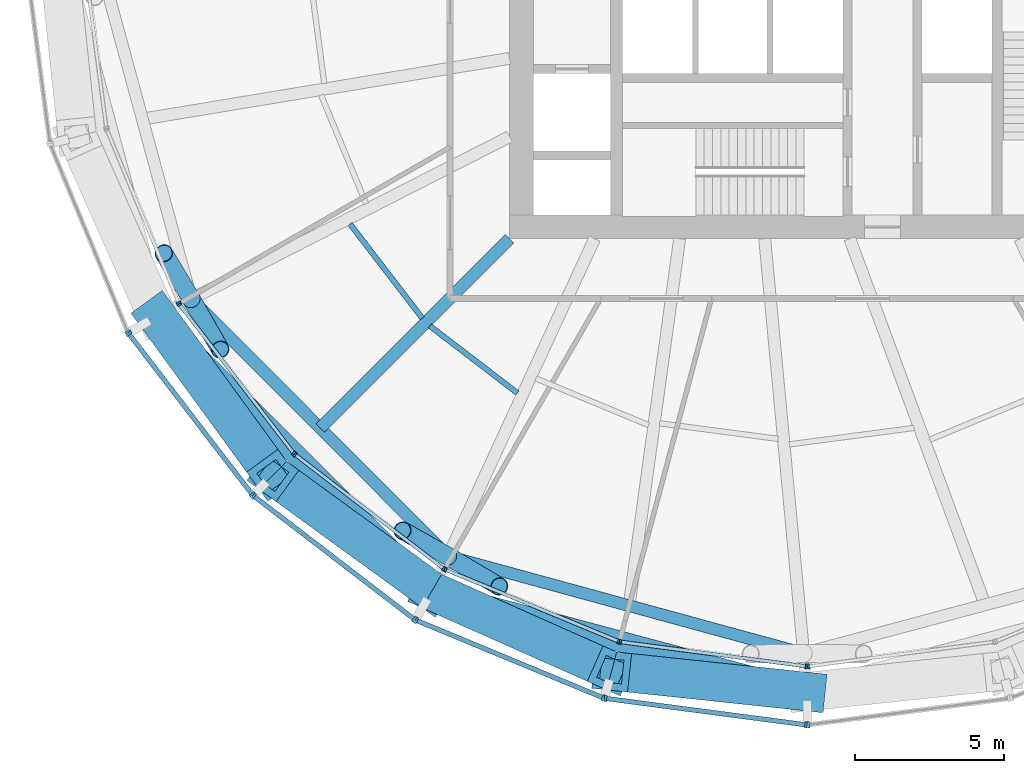
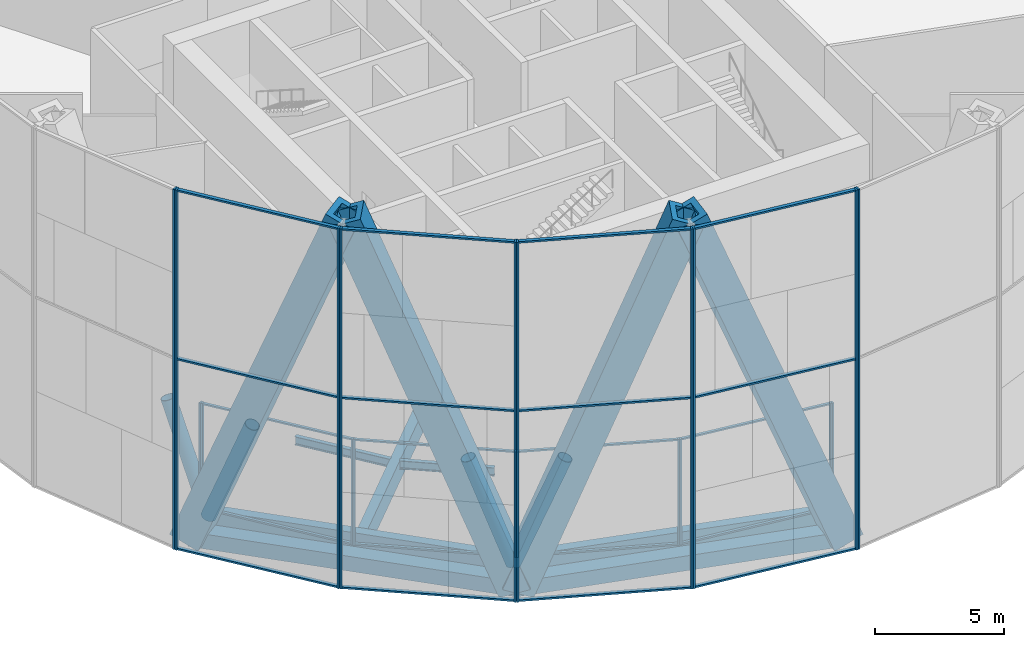
# One storey, part 1 of 16: 48 members, 7 beams, 12 elements without a shape of their own.
"""IFC4 building model written with IfcOpenShell, lengths in metres."""

from ifc_helpers import new_model, si_unit, direction, frame, origin, origin_2d, place, context, subcontext, project, spatial, rectangle, hollow_rectangle, hollow_circle, i_section, extrude, material, material_profile, profile_set, type_object, element, aggregate, save


model = new_model("IFC4")

# Units and contexts
model_context = context("Model", 3, precision=1e-05, world=origin(), true_north=direction((0.0, 1.0)))
body_context = subcontext(model_context, "Body", "Model", "MODEL_VIEW")
ifc_project = project(units=[si_unit("LENGTHUNIT", "METRE"), si_unit("AREAUNIT", "SQUARE_METRE"), si_unit("VOLUMEUNIT", "CUBIC_METRE"), si_unit("PLANEANGLEUNIT", "RADIAN"), si_unit("MASSUNIT", "GRAM", prefix="KILO")], contexts=[model_context])

# Site, building, storey
site_placement = place(None, origin())
site = spatial("IfcSite", under=ifc_project, at=site_placement, CompositionType="ELEMENT")
building_placement = place(site_placement, origin())
building = spatial("IfcBuilding", under=site, at=building_placement, Name="Golbaran Civic Tower", CompositionType="ELEMENT")
storey_placement = place(building_placement, frame((0.0, 0.0, 85.0)))
storey = spatial("IfcBuildingStorey", under=building, at=storey_placement, Name="L20", CompositionType="ELEMENT", Elevation=85.0)

# Members
ifc_material_1 = material(Name="Steel S355", Category="steel")
ifc_material_profile_1 = material_profile(ifc_material_1, hollow_circle(Radius=0.304931640625, WallThickness=0.02490234375, at=origin_2d()), Name="CHS 610.0x25")
ifc_profile_set_1 = profile_set([ifc_material_profile_1], Name="Steel S355")
member_type_1 = type_object("IfcMemberType", Name="BELT TRUSS DIAGONAL CHS 610.0x25", PredefinedType="BRACE", material=ifc_profile_set_1)
member_1_placement = place(storey_placement, frame((-20.688232421875, -12.021728515625, -0.60009765625), z_axis=(0.181029971918, -0.316779719821, 0.931063240805), x_axis=(0.86822780606, 0.496165775507, 0.0)))
element("IfcMember", 1, at=member_1_placement, inside=storey, type_object=member_type_1, Name="Belt truss diagonal 210.00R L20", PredefinedType="BRACE", context=body_context, shape_type="SweptSolid", body=[
    extrude(hollow_circle(Radius=0.304931640625, WallThickness=0.02490234375, at=origin_2d()), origin(), (0.0, 0.0, 1.0), 5.3701171875),
])
member_2_placement = place(storey_placement, frame((-20.688232421875, -12.021728515625, -0.60009765625), z_axis=(-0.17373343176, 0.288666900773, 0.941534978154), x_axis=(-0.856793813137, -0.515659152707, 0.0)))
element("IfcMember", 2, at=member_2_placement, inside=storey, type_object=member_type_1, Name="Belt truss diagonal 210.00L L20", PredefinedType="BRACE", context=body_context, shape_type="SweptSolid", body=[
    extrude(hollow_circle(Radius=0.304931640625, WallThickness=0.02490234375, at=origin_2d()), origin(), (0.0, 0.0, 1.0), 5.310546875),
])
member_3_placement = place(storey_placement, frame((-12.065185546875, -20.6630859375, -0.60009765625), z_axis=(0.319905106981, -0.189078107017, 0.928391184778), x_axis=(0.50881561717, 0.860875523943, 0.0)))
element("IfcMember", 3, at=member_3_placement, inside=storey, type_object=member_type_1, Name="Belt truss diagonal 240.00R L20", PredefinedType="BRACE", context=body_context, shape_type="SweptSolid", body=[
    extrude(hollow_circle(Radius=0.304931640625, WallThickness=0.02490234375, at=origin_2d()), origin(), (0.0, 0.0, 1.0), 5.3857421875),
])
member_4_placement = place(storey_placement, frame((-12.065185546875, -20.6630859375, -0.60009765625), z_axis=(-0.288582653462, 0.161915925956, 0.943664816046), x_axis=(-0.489315556037, -0.872106809181, 0.0)))
element("IfcMember", 4, at=member_4_placement, inside=storey, type_object=member_type_1, Name="Belt truss diagonal 240.00L L20", PredefinedType="BRACE", context=body_context, shape_type="SweptSolid", body=[
    extrude(hollow_circle(Radius=0.304931640625, WallThickness=0.02490234375, at=origin_2d()), origin(), (0.0, 0.0, 1.0), 5.298583984375),
])
ifc_material_profile_2 = material_profile(ifc_material_1, hollow_rectangle(XDim=1.300048828125, YDim=1.300048828125, WallThickness=0.25, at=origin_2d()), Name="BOX 1300x1300x250")
ifc_profile_set_2 = profile_set([ifc_material_profile_2], Name="Steel S355")
member_type_2 = type_object("IfcMemberType", Name="DIAGRID DIAGONAL BOX 1300x1300x250", PredefinedType="BRACE", material=ifc_profile_set_2)
for number, where, z_axis, x_axis, name in (
    (5, (-21.833251953125, -12.60546875, -0.7099609375), (0.213080937127, -0.292875852707, 0.932105277924), (0.80863058771, 0.588316728149, 0.0), "Diagonal D04-07R L20-L24"),
    (6, (-12.60546875, -21.833251953125, -0.7099609375), (0.330972563789, -0.14710040459, 0.932104410991), (0.406141895231, 0.913810024533, 0.0), "Diagonal D04-08R L20-L24"),
    (7, (-12.60546875, -21.833251953125, -0.7099609375), (-0.292875852707, 0.213080937127, 0.932105277924), (-0.588316728149, -0.80863058771, 0.0), "Diagonal D04-08L L20-L24"),
    (8, (0.0, -25.2109375, -0.7099609375), (-0.360181059018, 0.038096974541, 0.932104192274), (-0.105184981916, -0.994452673373, 0.0), "Diagonal D04-09L L20-L24"),
):
    element("IfcMember", number, at=place(storey_placement, frame(where, z_axis=z_axis, x_axis=x_axis)), inside=storey, type_object=member_type_2, Name=name, PredefinedType="BRACE", context=body_context, shape_type="SweptSolid", body=[
        extrude(hollow_rectangle(XDim=1.300048828125, YDim=1.300048828125, WallThickness=0.25, at=origin_2d()), origin(), (0.0, 0.0, 1.0), 18.23828125),
    ])

# Beams
ifc_material_profile_3 = material_profile(ifc_material_1, hollow_rectangle(XDim=0.699951171875, YDim=0.699951171875, WallThickness=0.080078125, at=origin_2d()), Name="BOX 700x700x80")
ifc_profile_set_3 = profile_set([ifc_material_profile_3], Name="Steel S355")
beam_type_1 = type_object("IfcBeamType", Name="DIAGRID RING TIE BOX 700x700x80", PredefinedType="BEAM", material=ifc_profile_set_3)
for number, where, z_axis, x_axis, name in (
    (9, (-21.833251953125, -12.60546875, -0.7099609375), (0.707106781187, -0.707106781187, 0.0), (0.707106781187, 0.707106781187, 0.0), "Ring tie 210.00 L20"),
    (10, (-12.60546875, -21.833251953125, -0.7099609375), (0.965924669682, -0.258823361579, 0.0), (0.258823361579, 0.965924669682, 0.0), "Ring tie 240.00 L20"),
):
    element("IfcBeam", number, at=place(storey_placement, frame(where, z_axis=z_axis, x_axis=x_axis)), inside=storey, type_object=beam_type_1, Name=name, PredefinedType="BEAM", context=body_context, shape_type="SweptSolid", body=[
        extrude(hollow_rectangle(XDim=0.699951171875, YDim=0.699951171875, WallThickness=0.080078125, at=origin_2d()), origin(), (0.0, 0.0, 1.0), 13.050048828125),
    ])
ifc_material_profile_4 = material_profile(ifc_material_1, hollow_rectangle(XDim=0.39990234375, YDim=0.800048828125, WallThickness=0.0400390625, at=origin_2d()), Name="BOX 800x400x40")
ifc_profile_set_4 = profile_set([ifc_material_profile_4], Name="Steel S355")
beam_type_2 = type_object("IfcBeamType", Name="EDGE BEAM BOX 800x400x40", PredefinedType="BEAM", material=ifc_profile_set_4)
beam_1_placement = place(storey_placement, frame((-20.5546875, -12.155517578125, -0.60009765625), z_axis=(0.706363241549, -0.707849539795, 0.0), x_axis=(0.707849539795, 0.706363241549, 0.0)))
element("IfcBeam", 11, at=beam_1_placement, inside=storey, type_object=beam_type_2, Name="Edge beam 210.00 L20", PredefinedType="BEAM", context=body_context, shape_type="SweptSolid", body=[
    extrude(hollow_rectangle(XDim=0.39990234375, YDim=0.800048828125, WallThickness=0.0400390625, at=origin_2d()), origin(), (0.0, 0.0, 1.0), 11.82666015625),
])
beam_2_placement = place(storey_placement, frame((-11.88916015625, -20.711181640625, -0.60009765625), z_axis=(0.964630914854, -0.263604245238, 0.0), x_axis=(0.263604245238, 0.964630914854, 0.0)))
element("IfcBeam", 12, at=beam_2_placement, inside=storey, type_object=beam_type_2, Name="Edge beam 240.00 L20", PredefinedType="BEAM", context=body_context, shape_type="SweptSolid", body=[
    extrude(hollow_rectangle(XDim=0.39990234375, YDim=0.800048828125, WallThickness=0.0400390625, at=origin_2d()), origin(), (0.0, 0.0, 1.0), 12.0078125),
])
ifc_material_profile_5 = material_profile(ifc_material_1, i_section(OverallWidth=0.179931640625, OverallDepth=0.39990234375, WebThickness=0.008544921875, FlangeThickness=0.013427734375, FilletRadius=0.02099609375, at=origin_2d()), Name="IPE 400")
ifc_profile_set_5 = profile_set([ifc_material_profile_5], Name="Steel S355")
beam_type_3 = type_object("IfcBeamType", Name="FLOOR INFILL BEAM IPE 400", PredefinedType="BEAM", material=ifc_profile_set_5)
beam_3_placement = place(storey_placement, frame((-15.355712890625, -9.50439453125, -0.39990234375), z_axis=(0.608761492102, -0.793353291878, 0.0), x_axis=(0.793353291878, 0.608761492102, 0.0)))
element("IfcBeam", 13, at=beam_3_placement, inside=storey, type_object=beam_type_3, Name="Infill beam 217.50 L20", PredefinedType="BEAM", context=body_context, shape_type="SweptSolid", body=[
    extrude(i_section(OverallWidth=0.179931640625, OverallDepth=0.39990234375, WebThickness=0.008544921875, FlangeThickness=0.013427734375, FilletRadius=0.02099609375, at=origin_2d()), origin(), (0.0, 0.0, 1.0), 3.99169921875),
])
beam_4_placement = place(storey_placement, frame((-12.673583984375, -12.92822265625, -0.39990234375), z_axis=(0.793372973676, -0.60873584143, 0.0), x_axis=(0.60873584143, 0.793372973676, 0.0)))
element("IfcBeam", 14, at=beam_4_placement, inside=storey, type_object=beam_type_3, Name="Infill beam 232.50 L20", PredefinedType="BEAM", context=body_context, shape_type="SweptSolid", body=[
    extrude(i_section(OverallWidth=0.179931640625, OverallDepth=0.39990234375, WebThickness=0.008544921875, FlangeThickness=0.013427734375, FilletRadius=0.02099609375, at=origin_2d()), origin(), (0.0, 0.0, 1.0), 3.705078125),
])

# Curtain wall, member
ifc_material_2 = material(Name="Aluminium and glass", Category="aluminium")
curtain_wall_type_1 = type_object("IfcCurtainWallType", Name="OUTER SKIN TERRACOTTA SCREEN", PredefinedType="NOTDEFINED", material=ifc_material_2)
curtain_wall_1_placement = place(storey_placement, origin())
curtain_wall_1 = element("IfcCurtainWall", 15, at=curtain_wall_1_placement, inside=storey, type_object=curtain_wall_type_1, Name="Outer skin L20 facet 14 CW3", ObjectType="OUTER SKIN", PredefinedType="USERDEFINED")
ifc_material_3 = material(Name="Aluminium", Category="aluminium")
ifc_material_profile_6 = material_profile(ifc_material_3, rectangle(XDim=0.219970703125, YDim=0.080078125, at=origin_2d()), Name="OUTER SKIN TERRACOTTA SCREEN MULLION")
ifc_profile_set_6 = profile_set([ifc_material_profile_6], Name="Aluminium")
member_type_3 = type_object("IfcMemberType", Name="OUTER SKIN TERRACOTTA SCREEN MULLION", PredefinedType="MULLION", material=ifc_profile_set_6)
member_5_placement = place(storey_placement, frame((-22.818603515625, -13.128662109375, -0.7099609375), z_axis=(0.0, 0.0, 1.0), x_axis=(0.923879532498, 0.382683432397, 0.0)))
member_5 = element("IfcMember", 16, at=member_5_placement, type_object=member_type_3, Name="CW3 mullion 2", PredefinedType="MULLION", context=body_context, shape_type="SweptSolid", body=[
    extrude(rectangle(XDim=0.219970703125, YDim=0.080078125, at=origin_2d()), origin(), (0.0, 0.0, 1.0), 17.0),
])
aggregate(curtain_wall_1, [member_5])

# Curtain wall, members
curtain_wall_2_placement = place(storey_placement, origin())
curtain_wall_2 = element("IfcCurtainWall", 17, at=curtain_wall_2_placement, inside=storey, type_object=curtain_wall_type_1, Name="Outer skin L20 facet 15 CW3", ObjectType="OUTER SKIN", PredefinedType="USERDEFINED")
member_6_placement = place(storey_placement, frame((-22.779052734375, -13.197265625, -0.7099609375), z_axis=(0.0, 0.0, 1.0), x_axis=(0.793353340238, 0.608761429078, 0.0)))
member_6 = element("IfcMember", 18, at=member_6_placement, type_object=member_type_3, Name="CW3 mullion 1", PredefinedType="MULLION", context=body_context, shape_type="SweptSolid", body=[
    extrude(rectangle(XDim=0.219970703125, YDim=0.080078125, at=origin_2d()), origin(), (0.0, 0.0, 1.0), 17.0),
])
member_7_placement = place(storey_placement, frame((-18.64306640625, -18.587158203125, -0.7099609375), z_axis=(0.0, 0.0, 1.0), x_axis=(0.793353340238, 0.608761429078, 0.0)))
member_7 = element("IfcMember", 19, at=member_7_placement, type_object=member_type_3, Name="CW3 mullion 2", PredefinedType="MULLION", context=body_context, shape_type="SweptSolid", body=[
    extrude(rectangle(XDim=0.219970703125, YDim=0.080078125, at=origin_2d()), origin(), (0.0, 0.0, 1.0), 17.0),
])

curtain_wall_3_placement = place(storey_placement, origin())
curtain_wall_3 = element("IfcCurtainWall", 20, at=curtain_wall_3_placement, inside=storey, type_object=curtain_wall_type_1, Name="Outer skin L20 facet 16 CW3", ObjectType="OUTER SKIN", PredefinedType="USERDEFINED")
member_8_placement = place(storey_placement, frame((-18.587158203125, -18.64306640625, -0.7099609375), z_axis=(0.0, 0.0, 1.0), x_axis=(0.608761429078, 0.793353340238, 0.0)))
member_8 = element("IfcMember", 21, at=member_8_placement, type_object=member_type_3, Name="CW3 mullion 1", PredefinedType="MULLION", context=body_context, shape_type="SweptSolid", body=[
    extrude(rectangle(XDim=0.219970703125, YDim=0.080078125, at=origin_2d()), origin(), (0.0, 0.0, 1.0), 17.0),
])
member_9_placement = place(storey_placement, frame((-13.197265625, -22.779052734375, -0.7099609375), z_axis=(0.0, 0.0, 1.0), x_axis=(0.608761429078, 0.793353340238, 0.0)))
member_9 = element("IfcMember", 22, at=member_9_placement, type_object=member_type_3, Name="CW3 mullion 2", PredefinedType="MULLION", context=body_context, shape_type="SweptSolid", body=[
    extrude(rectangle(XDim=0.219970703125, YDim=0.080078125, at=origin_2d()), origin(), (0.0, 0.0, 1.0), 17.0),
])

curtain_wall_4_placement = place(storey_placement, origin())
curtain_wall_4 = element("IfcCurtainWall", 23, at=curtain_wall_4_placement, inside=storey, type_object=curtain_wall_type_1, Name="Outer skin L20 facet 17 CW3", ObjectType="OUTER SKIN", PredefinedType="USERDEFINED")
member_10_placement = place(storey_placement, frame((-13.128662109375, -22.818603515625, -0.7099609375), z_axis=(0.0, 0.0, 1.0), x_axis=(0.382683432397, 0.923879532498, 0.0)))
member_10 = element("IfcMember", 24, at=member_10_placement, type_object=member_type_3, Name="CW3 mullion 1", PredefinedType="MULLION", context=body_context, shape_type="SweptSolid", body=[
    extrude(rectangle(XDim=0.219970703125, YDim=0.080078125, at=origin_2d()), origin(), (0.0, 0.0, 1.0), 17.0),
])
member_11_placement = place(storey_placement, frame((-6.851806640625, -25.41845703125, -0.7099609375), z_axis=(0.0, 0.0, 1.0), x_axis=(0.382683432397, 0.923879532498, 0.0)))
member_11 = element("IfcMember", 25, at=member_11_placement, type_object=member_type_3, Name="CW3 mullion 2", PredefinedType="MULLION", context=body_context, shape_type="SweptSolid", body=[
    extrude(rectangle(XDim=0.219970703125, YDim=0.080078125, at=origin_2d()), origin(), (0.0, 0.0, 1.0), 17.0),
])

curtain_wall_5_placement = place(storey_placement, origin())
curtain_wall_5 = element("IfcCurtainWall", 26, at=curtain_wall_5_placement, inside=storey, type_object=curtain_wall_type_1, Name="Outer skin L20 facet 18 CW3", ObjectType="OUTER SKIN", PredefinedType="USERDEFINED")
member_12_placement = place(storey_placement, frame((-6.775390625, -25.43896484375, -0.7099609375), z_axis=(0.0, 0.0, 1.0), x_axis=(0.13052619222, 0.991444861374, 0.0)))
member_12 = element("IfcMember", 27, at=member_12_placement, type_object=member_type_3, Name="CW3 mullion 1", PredefinedType="MULLION", context=body_context, shape_type="SweptSolid", body=[
    extrude(rectangle(XDim=0.219970703125, YDim=0.080078125, at=origin_2d()), origin(), (0.0, 0.0, 1.0), 17.0),
])
member_13_placement = place(storey_placement, frame((-0.03955078125, -26.32568359375, -0.7099609375), z_axis=(0.0, 0.0, 1.0), x_axis=(0.13052619222, 0.991444861374, 0.0)))
member_13 = element("IfcMember", 28, at=member_13_placement, type_object=member_type_3, Name="CW3 mullion 2", PredefinedType="MULLION", context=body_context, shape_type="SweptSolid", body=[
    extrude(rectangle(XDim=0.219970703125, YDim=0.080078125, at=origin_2d()), origin(), (0.0, 0.0, 1.0), 17.0),
])

# Curtain wall, member
curtain_wall_6_placement = place(storey_placement, origin())
curtain_wall_6 = element("IfcCurtainWall", 29, at=curtain_wall_6_placement, inside=storey, type_object=curtain_wall_type_1, Name="Outer skin L20 facet 19 CW3", ObjectType="OUTER SKIN", PredefinedType="USERDEFINED")
member_14_placement = place(storey_placement, frame((0.03955078125, -26.32568359375, -0.7099609375), z_axis=(0.0, 0.0, 1.0), x_axis=(-0.13052619222, 0.991444861374, 0.0)))
member_14 = element("IfcMember", 30, at=member_14_placement, type_object=member_type_3, Name="CW3 mullion 1", PredefinedType="MULLION", context=body_context, shape_type="SweptSolid", body=[
    extrude(rectangle(XDim=0.219970703125, YDim=0.080078125, at=origin_2d()), origin(), (0.0, 0.0, 1.0), 17.0),
])
aggregate(curtain_wall_6, [member_14])

# Member
ifc_material_profile_7 = material_profile(ifc_material_3, rectangle(XDim=0.159912109375, YDim=0.080078125, at=origin_2d()), Name="OUTER SKIN TERRACOTTA SCREEN TRANSOM")
ifc_profile_set_7 = profile_set([ifc_material_profile_7], Name="Aluminium")
member_type_4 = type_object("IfcMemberType", Name="OUTER SKIN TERRACOTTA SCREEN TRANSOM", PredefinedType="USERDEFINED", material=ifc_profile_set_7)
member_15_placement = place(storey_placement, frame((-22.754638671875, -13.22900390625, -0.669921875), z_axis=(0.608766626874, -0.793349351802, 0.0), x_axis=(0.793349351802, 0.608766626874, 0.0)))
member_15 = element("IfcMember", 31, at=member_15_placement, type_object=member_type_4, Name="CW3 transom 1.1", ObjectType="TRANSOM", PredefinedType="USERDEFINED", context=body_context, shape_type="SweptSolid", body=[
    extrude(rectangle(XDim=0.159912109375, YDim=0.080078125, at=origin_2d()), origin(), (0.0, 0.0, 1.0), 6.7138671875),
])

member_16_placement = place(storey_placement, frame((-22.754638671875, -13.22900390625, 8.2900390625), z_axis=(0.608766626874, -0.793349351802, 0.0), x_axis=(0.793349351802, 0.608766626874, 0.0)))
member_16 = element("IfcMember", 32, at=member_16_placement, type_object=member_type_4, Name="CW3 transom 1.2", ObjectType="TRANSOM", PredefinedType="USERDEFINED", context=body_context, shape_type="SweptSolid", body=[
    extrude(rectangle(XDim=0.159912109375, YDim=0.080078125, at=origin_2d()), origin(), (0.0, 0.0, 1.0), 6.7138671875),
])

member_17_placement = place(storey_placement, frame((-22.754638671875, -13.22900390625, 16.25), z_axis=(0.608766626874, -0.793349351802, 0.0), x_axis=(0.793349351802, 0.608766626874, 0.0)))
member_17 = element("IfcMember", 33, at=member_17_placement, type_object=member_type_4, Name="CW3 transom 1.3", ObjectType="TRANSOM", PredefinedType="USERDEFINED", context=body_context, shape_type="SweptSolid", body=[
    extrude(rectangle(XDim=0.159912109375, YDim=0.080078125, at=origin_2d()), origin(), (0.0, 0.0, 1.0), 6.7138671875),
])

aggregate(curtain_wall_2, [member_6, member_7, member_15, member_16, member_17])

member_18_placement = place(storey_placement, frame((-18.555419921875, -18.66748046875, -0.669921875), z_axis=(0.793349351802, -0.608766626874, 0.0), x_axis=(0.608766626874, 0.793349351802, 0.0)))
member_18 = element("IfcMember", 34, at=member_18_placement, type_object=member_type_4, Name="CW3 transom 1.1", ObjectType="TRANSOM", PredefinedType="USERDEFINED", context=body_context, shape_type="SweptSolid", body=[
    extrude(rectangle(XDim=0.159912109375, YDim=0.080078125, at=origin_2d()), origin(), (0.0, 0.0, 1.0), 6.7138671875),
])

member_19_placement = place(storey_placement, frame((-18.555419921875, -18.66748046875, 8.2900390625), z_axis=(0.793349351802, -0.608766626874, 0.0), x_axis=(0.608766626874, 0.793349351802, 0.0)))
member_19 = element("IfcMember", 35, at=member_19_placement, type_object=member_type_4, Name="CW3 transom 1.2", ObjectType="TRANSOM", PredefinedType="USERDEFINED", context=body_context, shape_type="SweptSolid", body=[
    extrude(rectangle(XDim=0.159912109375, YDim=0.080078125, at=origin_2d()), origin(), (0.0, 0.0, 1.0), 6.7138671875),
])

member_20_placement = place(storey_placement, frame((-18.555419921875, -18.66748046875, 16.25), z_axis=(0.793349351802, -0.608766626874, 0.0), x_axis=(0.608766626874, 0.793349351802, 0.0)))
member_20 = element("IfcMember", 36, at=member_20_placement, type_object=member_type_4, Name="CW3 transom 1.3", ObjectType="TRANSOM", PredefinedType="USERDEFINED", context=body_context, shape_type="SweptSolid", body=[
    extrude(rectangle(XDim=0.159912109375, YDim=0.080078125, at=origin_2d()), origin(), (0.0, 0.0, 1.0), 6.7138671875),
])

aggregate(curtain_wall_3, [member_8, member_9, member_18, member_19, member_20])

member_21_placement = place(storey_placement, frame((-13.091552734375, -22.833984375, -0.669921875), z_axis=(0.923886086395, -0.382667609507, 0.0), x_axis=(0.382667609507, 0.923886086395, 0.0)))
member_21 = element("IfcMember", 37, at=member_21_placement, type_object=member_type_4, Name="CW3 transom 1.1", ObjectType="TRANSOM", PredefinedType="USERDEFINED", context=body_context, shape_type="SweptSolid", body=[
    extrude(rectangle(XDim=0.159912109375, YDim=0.080078125, at=origin_2d()), origin(), (0.0, 0.0, 1.0), 6.713623046875),
])

member_22_placement = place(storey_placement, frame((-13.091552734375, -22.833984375, 8.2900390625), z_axis=(0.923886086395, -0.382667609507, 0.0), x_axis=(0.382667609507, 0.923886086395, 0.0)))
member_22 = element("IfcMember", 38, at=member_22_placement, type_object=member_type_4, Name="CW3 transom 1.2", ObjectType="TRANSOM", PredefinedType="USERDEFINED", context=body_context, shape_type="SweptSolid", body=[
    extrude(rectangle(XDim=0.159912109375, YDim=0.080078125, at=origin_2d()), origin(), (0.0, 0.0, 1.0), 6.713623046875),
])

member_23_placement = place(storey_placement, frame((-13.091552734375, -22.833984375, 16.25), z_axis=(0.923886086395, -0.382667609507, 0.0), x_axis=(0.382667609507, 0.923886086395, 0.0)))
member_23 = element("IfcMember", 39, at=member_23_placement, type_object=member_type_4, Name="CW3 transom 1.3", ObjectType="TRANSOM", PredefinedType="USERDEFINED", context=body_context, shape_type="SweptSolid", body=[
    extrude(rectangle(XDim=0.159912109375, YDim=0.080078125, at=origin_2d()), origin(), (0.0, 0.0, 1.0), 6.713623046875),
])

aggregate(curtain_wall_4, [member_10, member_11, member_21, member_22, member_23])

member_24_placement = place(storey_placement, frame((-6.735595703125, -25.4443359375, -0.669921875), z_axis=(0.991446619865, -0.130512834459, 0.0), x_axis=(0.130512834459, 0.991446619865, 0.0)))
member_24 = element("IfcMember", 40, at=member_24_placement, type_object=member_type_4, Name="CW3 transom 1.1", ObjectType="TRANSOM", PredefinedType="USERDEFINED", context=body_context, shape_type="SweptSolid", body=[
    extrude(rectangle(XDim=0.159912109375, YDim=0.080078125, at=origin_2d()), origin(), (0.0, 0.0, 1.0), 6.713623046875),
])

member_25_placement = place(storey_placement, frame((-6.735595703125, -25.4443359375, 8.2900390625), z_axis=(0.991446619865, -0.130512834459, 0.0), x_axis=(0.130512834459, 0.991446619865, 0.0)))
member_25 = element("IfcMember", 41, at=member_25_placement, type_object=member_type_4, Name="CW3 transom 1.2", ObjectType="TRANSOM", PredefinedType="USERDEFINED", context=body_context, shape_type="SweptSolid", body=[
    extrude(rectangle(XDim=0.159912109375, YDim=0.080078125, at=origin_2d()), origin(), (0.0, 0.0, 1.0), 6.713623046875),
])

member_26_placement = place(storey_placement, frame((-6.735595703125, -25.4443359375, 16.25), z_axis=(0.991446619865, -0.130512834459, 0.0), x_axis=(0.130512834459, 0.991446619865, 0.0)))
member_26 = element("IfcMember", 42, at=member_26_placement, type_object=member_type_4, Name="CW3 transom 1.3", ObjectType="TRANSOM", PredefinedType="USERDEFINED", context=body_context, shape_type="SweptSolid", body=[
    extrude(rectangle(XDim=0.159912109375, YDim=0.080078125, at=origin_2d()), origin(), (0.0, 0.0, 1.0), 6.713623046875),
])

aggregate(curtain_wall_5, [member_12, member_13, member_24, member_25, member_26])

# Curtain wall, member
curtain_wall_type_2 = type_object("IfcCurtainWallType", Name="PLANT FLOOR LOUVRE WALL", PredefinedType="NOTDEFINED", material=ifc_material_2)
curtain_wall_7_placement = place(storey_placement, origin())
curtain_wall_7 = element("IfcCurtainWall", 43, at=curtain_wall_7_placement, inside=storey, type_object=curtain_wall_type_2, Name="Inner skin L20 facet 14 CW6", ObjectType="PLANT LOUVRE WALL", PredefinedType="USERDEFINED")
ifc_material_profile_8 = material_profile(ifc_material_3, rectangle(XDim=0.159912109375, YDim=0.070068359375, at=origin_2d()), Name="PLANT FLOOR LOUVRE WALL MULLION")
ifc_profile_set_8 = profile_set([ifc_material_profile_8], Name="Aluminium")
member_type_5 = type_object("IfcMemberType", Name="PLANT FLOOR LOUVRE WALL MULLION", PredefinedType="MULLION", material=ifc_profile_set_8)
member_27_placement = place(storey_placement, frame((-21.114990234375, -12.150634765625, 0.0), z_axis=(0.0, 0.0, 1.0), x_axis=(0.923879532551, 0.382683432268, 0.0)))
member_27 = element("IfcMember", 44, at=member_27_placement, type_object=member_type_5, Name="CW6 mullion 2", PredefinedType="MULLION", context=body_context, shape_type="SweptSolid", body=[
    extrude(rectangle(XDim=0.159912109375, YDim=0.070068359375, at=origin_2d()), origin(), (0.0, 0.0, 1.0), 5.0),
])
aggregate(curtain_wall_7, [member_27])

# Curtain wall, members
curtain_wall_8_placement = place(storey_placement, origin())
curtain_wall_8 = element("IfcCurtainWall", 45, at=curtain_wall_8_placement, inside=storey, type_object=curtain_wall_type_2, Name="Inner skin L20 facet 15 CW6", ObjectType="PLANT LOUVRE WALL", PredefinedType="USERDEFINED")
member_28_placement = place(storey_placement, frame((-21.080322265625, -12.210693359375, 0.0), z_axis=(0.0, 0.0, 1.0), x_axis=(0.793353340206, 0.608761429119, 0.0)))
member_28 = element("IfcMember", 46, at=member_28_placement, type_object=member_type_5, Name="CW6 mullion 1", PredefinedType="MULLION", context=body_context, shape_type="SweptSolid", body=[
    extrude(rectangle(XDim=0.159912109375, YDim=0.070068359375, at=origin_2d()), origin(), (0.0, 0.0, 1.0), 5.0),
])
member_29_placement = place(storey_placement, frame((-17.250732421875, -17.20166015625, 0.0), z_axis=(0.0, 0.0, 1.0), x_axis=(0.793353340206, 0.608761429119, 0.0)))
member_29 = element("IfcMember", 47, at=member_29_placement, type_object=member_type_5, Name="CW6 mullion 2", PredefinedType="MULLION", context=body_context, shape_type="SweptSolid", body=[
    extrude(rectangle(XDim=0.159912109375, YDim=0.070068359375, at=origin_2d()), origin(), (0.0, 0.0, 1.0), 5.0),
])

curtain_wall_9_placement = place(storey_placement, origin())
curtain_wall_9 = element("IfcCurtainWall", 48, at=curtain_wall_9_placement, inside=storey, type_object=curtain_wall_type_2, Name="Inner skin L20 facet 16 CW6", ObjectType="PLANT LOUVRE WALL", PredefinedType="USERDEFINED")
member_30_placement = place(storey_placement, frame((-17.20166015625, -17.250732421875, 0.0), z_axis=(0.0, 0.0, 1.0), x_axis=(0.608761429119, 0.793353340206, 0.0)))
member_30 = element("IfcMember", 49, at=member_30_placement, type_object=member_type_5, Name="CW6 mullion 1", PredefinedType="MULLION", context=body_context, shape_type="SweptSolid", body=[
    extrude(rectangle(XDim=0.159912109375, YDim=0.070068359375, at=origin_2d()), origin(), (0.0, 0.0, 1.0), 5.0),
])
member_31_placement = place(storey_placement, frame((-12.210693359375, -21.080322265625, 0.0), z_axis=(0.0, 0.0, 1.0), x_axis=(0.608761429119, 0.793353340206, 0.0)))
member_31 = element("IfcMember", 50, at=member_31_placement, type_object=member_type_5, Name="CW6 mullion 2", PredefinedType="MULLION", context=body_context, shape_type="SweptSolid", body=[
    extrude(rectangle(XDim=0.159912109375, YDim=0.070068359375, at=origin_2d()), origin(), (0.0, 0.0, 1.0), 5.0),
])

curtain_wall_10_placement = place(storey_placement, origin())
curtain_wall_10 = element("IfcCurtainWall", 51, at=curtain_wall_10_placement, inside=storey, type_object=curtain_wall_type_2, Name="Inner skin L20 facet 17 CW6", ObjectType="PLANT LOUVRE WALL", PredefinedType="USERDEFINED")
member_32_placement = place(storey_placement, frame((-12.150634765625, -21.114990234375, 0.0), z_axis=(0.0, 0.0, 1.0), x_axis=(0.382683432268, 0.923879532551, 0.0)))
member_32 = element("IfcMember", 52, at=member_32_placement, type_object=member_type_5, Name="CW6 mullion 1", PredefinedType="MULLION", context=body_context, shape_type="SweptSolid", body=[
    extrude(rectangle(XDim=0.159912109375, YDim=0.070068359375, at=origin_2d()), origin(), (0.0, 0.0, 1.0), 5.0),
])
member_33_placement = place(storey_placement, frame((-6.338623046875, -23.5224609375, 0.0), z_axis=(0.0, 0.0, 1.0), x_axis=(0.382683432268, 0.923879532551, 0.0)))
member_33 = element("IfcMember", 53, at=member_33_placement, type_object=member_type_5, Name="CW6 mullion 2", PredefinedType="MULLION", context=body_context, shape_type="SweptSolid", body=[
    extrude(rectangle(XDim=0.159912109375, YDim=0.070068359375, at=origin_2d()), origin(), (0.0, 0.0, 1.0), 5.0),
])

curtain_wall_11_placement = place(storey_placement, origin())
curtain_wall_11 = element("IfcCurtainWall", 54, at=curtain_wall_11_placement, inside=storey, type_object=curtain_wall_type_2, Name="Inner skin L20 facet 18 CW6", ObjectType="PLANT LOUVRE WALL", PredefinedType="USERDEFINED")
member_34_placement = place(storey_placement, frame((-6.271728515625, -23.540283203125, 0.0), z_axis=(0.0, 0.0, 1.0), x_axis=(0.130526192272, 0.991444861367, 0.0)))
member_34 = element("IfcMember", 55, at=member_34_placement, type_object=member_type_5, Name="CW6 mullion 1", PredefinedType="MULLION", context=body_context, shape_type="SweptSolid", body=[
    extrude(rectangle(XDim=0.159912109375, YDim=0.070068359375, at=origin_2d()), origin(), (0.0, 0.0, 1.0), 5.0),
])
member_35_placement = place(storey_placement, frame((-0.03466796875, -24.361328125, 0.0), z_axis=(0.0, 0.0, 1.0), x_axis=(0.130526192272, 0.991444861367, 0.0)))
member_35 = element("IfcMember", 56, at=member_35_placement, type_object=member_type_5, Name="CW6 mullion 2", PredefinedType="MULLION", context=body_context, shape_type="SweptSolid", body=[
    extrude(rectangle(XDim=0.159912109375, YDim=0.070068359375, at=origin_2d()), origin(), (0.0, 0.0, 1.0), 5.0),
])

# Curtain wall, member
curtain_wall_12_placement = place(storey_placement, origin())
curtain_wall_12 = element("IfcCurtainWall", 57, at=curtain_wall_12_placement, inside=storey, type_object=curtain_wall_type_2, Name="Inner skin L20 facet 19 CW6", ObjectType="PLANT LOUVRE WALL", PredefinedType="USERDEFINED")
member_36_placement = place(storey_placement, frame((0.03466796875, -24.361328125, 0.0), z_axis=(0.0, 0.0, 1.0), x_axis=(-0.130526192272, 0.991444861367, 0.0)))
member_36 = element("IfcMember", 58, at=member_36_placement, type_object=member_type_5, Name="CW6 mullion 1", PredefinedType="MULLION", context=body_context, shape_type="SweptSolid", body=[
    extrude(rectangle(XDim=0.159912109375, YDim=0.070068359375, at=origin_2d()), origin(), (0.0, 0.0, 1.0), 5.0),
])
aggregate(curtain_wall_12, [member_36])

# Member
ifc_material_profile_9 = material_profile(ifc_material_3, rectangle(XDim=0.1201171875, YDim=0.070068359375, at=origin_2d()), Name="PLANT FLOOR LOUVRE WALL TRANSOM")
ifc_profile_set_9 = profile_set([ifc_material_profile_9], Name="Aluminium")
member_type_6 = type_object("IfcMemberType", Name="PLANT FLOOR LOUVRE WALL TRANSOM", PredefinedType="USERDEFINED", material=ifc_profile_set_9)
member_37_placement = place(storey_placement, frame((-21.05908203125, -12.238525390625, 0.034912109375), z_axis=(0.608773407576, -0.793344148669, 0.0), x_axis=(0.793344148669, 0.608773407576, 0.0)))
member_37 = element("IfcMember", 59, at=member_37_placement, type_object=member_type_6, Name="CW6 transom 1.1", ObjectType="TRANSOM", PredefinedType="USERDEFINED", context=body_context, shape_type="SweptSolid", body=[
    extrude(rectangle(XDim=0.1201171875, YDim=0.070068359375, at=origin_2d()), origin(), (0.0, 0.0, 1.0), 6.220947265625),
])

member_38_placement = place(storey_placement, frame((-21.05908203125, -12.238525390625, 4.965087890625), z_axis=(0.608773407576, -0.793344148669, 0.0), x_axis=(0.793344148669, 0.608773407576, 0.0)))
member_38 = element("IfcMember", 60, at=member_38_placement, type_object=member_type_6, Name="CW6 transom 1.2", ObjectType="TRANSOM", PredefinedType="USERDEFINED", context=body_context, shape_type="SweptSolid", body=[
    extrude(rectangle(XDim=0.1201171875, YDim=0.070068359375, at=origin_2d()), origin(), (0.0, 0.0, 1.0), 6.220947265625),
])

aggregate(curtain_wall_8, [member_28, member_29, member_37, member_38])

member_39_placement = place(storey_placement, frame((-17.173828125, -17.27197265625, 0.034912109375), z_axis=(0.793344148669, -0.608773407576, 0.0), x_axis=(0.608773407576, 0.793344148669, 0.0)))
member_39 = element("IfcMember", 61, at=member_39_placement, type_object=member_type_6, Name="CW6 transom 1.1", ObjectType="TRANSOM", PredefinedType="USERDEFINED", context=body_context, shape_type="SweptSolid", body=[
    extrude(rectangle(XDim=0.1201171875, YDim=0.070068359375, at=origin_2d()), origin(), (0.0, 0.0, 1.0), 6.220947265625),
])

member_40_placement = place(storey_placement, frame((-17.173828125, -17.27197265625, 4.965087890625), z_axis=(0.793344148669, -0.608773407576, 0.0), x_axis=(0.608773407576, 0.793344148669, 0.0)))
member_40 = element("IfcMember", 62, at=member_40_placement, type_object=member_type_6, Name="CW6 transom 1.2", ObjectType="TRANSOM", PredefinedType="USERDEFINED", context=body_context, shape_type="SweptSolid", body=[
    extrude(rectangle(XDim=0.1201171875, YDim=0.070068359375, at=origin_2d()), origin(), (0.0, 0.0, 1.0), 6.220947265625),
])

aggregate(curtain_wall_9, [member_30, member_31, member_39, member_40])

member_41_placement = place(storey_placement, frame((-12.118408203125, -21.12841796875, 0.034912109375), z_axis=(0.923879552933, -0.382683383062, 0.0), x_axis=(0.382683383062, 0.923879552933, 0.0)))
member_41 = element("IfcMember", 63, at=member_41_placement, type_object=member_type_6, Name="CW6 transom 1.1", ObjectType="TRANSOM", PredefinedType="USERDEFINED", context=body_context, shape_type="SweptSolid", body=[
    extrude(rectangle(XDim=0.1201171875, YDim=0.070068359375, at=origin_2d()), origin(), (0.0, 0.0, 1.0), 6.220947265625),
])

member_42_placement = place(storey_placement, frame((-12.118408203125, -21.12841796875, 4.965087890625), z_axis=(0.923879552933, -0.382683383062, 0.0), x_axis=(0.382683383062, 0.923879552933, 0.0)))
member_42 = element("IfcMember", 64, at=member_42_placement, type_object=member_type_6, Name="CW6 transom 1.2", ObjectType="TRANSOM", PredefinedType="USERDEFINED", context=body_context, shape_type="SweptSolid", body=[
    extrude(rectangle(XDim=0.1201171875, YDim=0.070068359375, at=origin_2d()), origin(), (0.0, 0.0, 1.0), 6.220947265625),
])

aggregate(curtain_wall_10, [member_32, member_33, member_41, member_42])

member_43_placement = place(storey_placement, frame((-6.237060546875, -23.544921875, 0.034912109375), z_axis=(0.991444541651, -0.130528620731, 0.0), x_axis=(0.130528620731, 0.991444541651, 0.0)))
member_43 = element("IfcMember", 65, at=member_43_placement, type_object=member_type_6, Name="CW6 transom 1.1", ObjectType="TRANSOM", PredefinedType="USERDEFINED", context=body_context, shape_type="SweptSolid", body=[
    extrude(rectangle(XDim=0.1201171875, YDim=0.070068359375, at=origin_2d()), origin(), (0.0, 0.0, 1.0), 6.220947265625),
])

member_44_placement = place(storey_placement, frame((-6.237060546875, -23.544921875, 4.965087890625), z_axis=(0.991444541651, -0.130528620731, 0.0), x_axis=(0.130528620731, 0.991444541651, 0.0)))
member_44 = element("IfcMember", 66, at=member_44_placement, type_object=member_type_6, Name="CW6 transom 1.2", ObjectType="TRANSOM", PredefinedType="USERDEFINED", context=body_context, shape_type="SweptSolid", body=[
    extrude(rectangle(XDim=0.1201171875, YDim=0.070068359375, at=origin_2d()), origin(), (0.0, 0.0, 1.0), 6.220947265625),
])

aggregate(curtain_wall_11, [member_34, member_35, member_43, member_44])

# Beam
ifc_material_profile_10 = material_profile(ifc_material_1, hollow_rectangle(XDim=0.39990234375, YDim=1.0, WallThickness=0.0400390625, at=origin_2d()), Name="BOX 1000x400x40")
ifc_profile_set_10 = profile_set([ifc_material_profile_10], Name="Steel S355")
beam_type_4 = type_object("IfcBeamType", Name="SECONDARY FLOOR BEAM BOX 1000x400x40", PredefinedType="BEAM", material=ifc_profile_set_10)
beam_5_placement = place(storey_placement, frame((-10.0, -10.0, -0.7099609375), z_axis=(-0.707106781187, -0.707106781187, 0.0), x_axis=(0.707106781187, -0.707106781187, 0.0)))
element("IfcBeam", 67, at=beam_5_placement, inside=storey, type_object=beam_type_4, Name="Secondary beam 225.00 L20", PredefinedType="BEAM", context=body_context, shape_type="SweptSolid", body=[
    extrude(hollow_rectangle(XDim=0.39990234375, YDim=1.0, WallThickness=0.0400390625, at=origin_2d()), origin(), (0.0, 0.0, 1.0), 8.993896484375),
])

save(model, "model.ifc")
